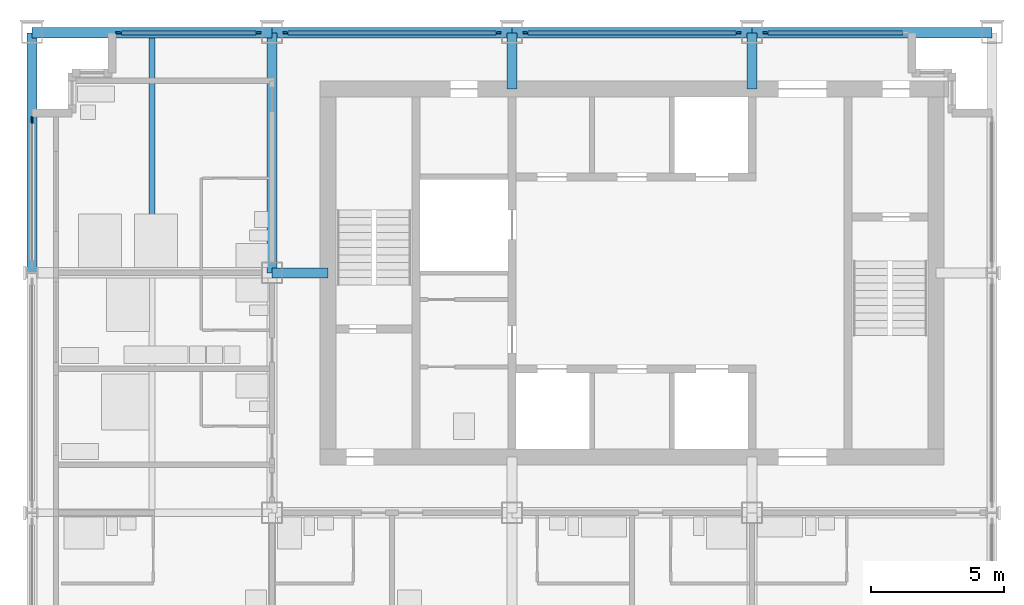
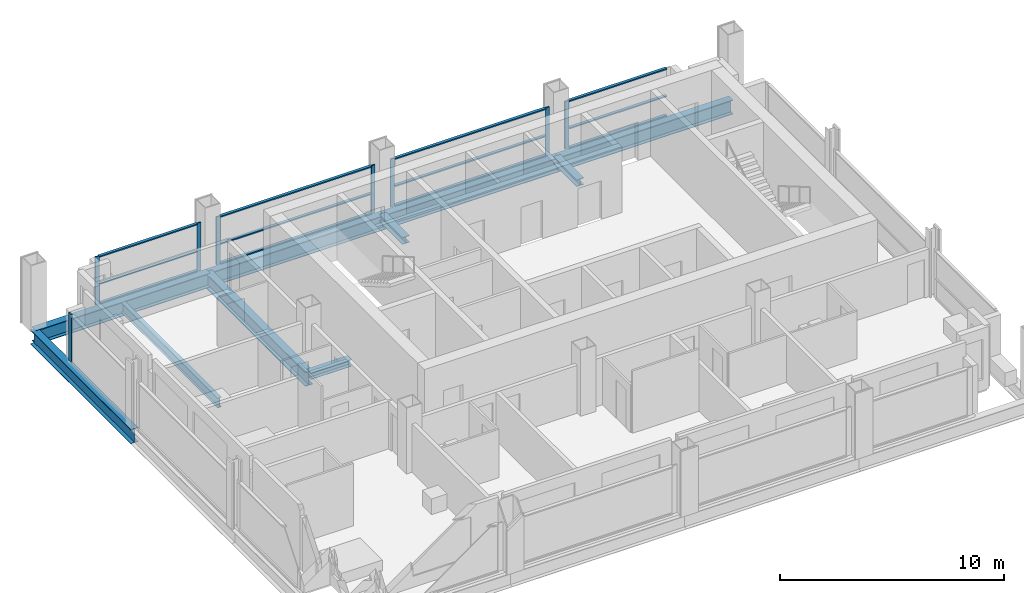
# One storey, part 3 of 12: 23 members, 7 beams, 5 elements without a shape of their own.
"""IFC4 building model written with IfcOpenShell, lengths in metres."""

from ifc_helpers import new_model, si_unit, direction, frame, origin, origin_2d, place, context, subcontext, project, spatial, rectangle, i_section, extrude, material, material_profile, profile_set, type_object, element, aggregate, save


model = new_model("IFC4")

# Units and contexts
model_context = context("Model", 3, precision=1e-05, world=origin(), true_north=direction((0.0, 1.0)))
body_context = subcontext(model_context, "Body", "Model", "MODEL_VIEW")
ifc_project = project(units=[si_unit("LENGTHUNIT", "METRE"), si_unit("AREAUNIT", "SQUARE_METRE"), si_unit("VOLUMEUNIT", "CUBIC_METRE"), si_unit("PLANEANGLEUNIT", "RADIAN"), si_unit("MASSUNIT", "GRAM", prefix="KILO")], contexts=[model_context])

# Site, building, storey
site_placement = place(None, origin())
site = spatial("IfcSite", under=ifc_project, at=site_placement, CompositionType="ELEMENT")
building_placement = place(site_placement, origin())
building = spatial("IfcBuilding", under=site, at=building_placement, Name="Loomwork Tower", CompositionType="ELEMENT")
storey_placement = place(building_placement, frame((0.0, 0.0, 237.39990234375)))
storey = spatial("IfcBuildingStorey", under=building, at=storey_placement, Name="L65", CompositionType="ELEMENT", Elevation=237.39990234375)

# Beam
ifc_material_1 = material(Name="Steel ASTM A992", Category="steel")
ifc_material_profile_1 = material_profile(ifc_material_1, i_section(OverallWidth=0.383544921875, OverallDepth=0.794921875, WebThickness=0.02099609375, FlangeThickness=0.0380859375, at=origin_2d()), Name="W30x235")
ifc_profile_set_1 = profile_set([ifc_material_profile_1], Name="Steel ASTM A992")
beam_type_1 = type_object("IfcBeamType", Name="CORE FLANK GIRDER W30x235", PredefinedType="BEAM", material=ifc_profile_set_1)
beam_1_placement = place(storey_placement, frame((9.0, 18.0, -0.597412109375), z_axis=(0.0, 1.0, 0.0), x_axis=(-1.0, 0.0, 0.0)))
element("IfcBeam", 1, at=beam_1_placement, inside=storey, type_object=beam_type_1, Name="Core Flank Girder F/3-G/3 L65", PredefinedType="BEAM", context=body_context, shape_type="SweptSolid", body=[
    extrude(i_section(OverallWidth=0.383544921875, OverallDepth=0.794921875, WebThickness=0.02099609375, FlangeThickness=0.0380859375, at=origin_2d()), origin(), (0.0, 0.0, 1.0), 9.0),
])

# Members
ifc_material_2 = material(Name="Steel ASTM A992", Category="steel")
ifc_material_profile_2 = material_profile(ifc_material_2, i_section(OverallWidth=0.373291015625, OverallDepth=0.373291015625, WebThickness=0.016357421875, FlangeThickness=0.026123046875, at=origin_2d()), Name="W14x132")
ifc_profile_set_2 = profile_set([ifc_material_profile_2], Name="Steel ASTM A992")
member_type_1 = type_object("IfcMemberType", Name="CORE LINK STRUT W14x132", PredefinedType="STRUT", material=ifc_profile_set_2)
for number, where, z_axis, x_axis, name in (
    (2, (18.0, 27.0, -0.386474609375), (0.0, -1.0, 0.0), (1.0, 0.0, 0.0), "Core link strut G/4-18.000,24.900 L65"),
    (3, (27.0, 27.0, -0.386474609375), (0.0, -1.0, 0.0), (1.0, 0.0, 0.0), "Core link strut G/5-27.000,24.900 L65"),
    (4, (9.0, 18.0, -0.386474609375), (1.0, 0.0, 0.0), (0.0, 1.0, 0.0), "Core link strut F/3-11.100,18.000 L65"),
):
    element("IfcMember", number, at=place(storey_placement, frame(where, z_axis=z_axis, x_axis=x_axis)), inside=storey, type_object=member_type_1, Name=name, PredefinedType="STRUT", context=body_context, shape_type="SweptSolid", body=[
        extrude(i_section(OverallWidth=0.373291015625, OverallDepth=0.373291015625, WebThickness=0.016357421875, FlangeThickness=0.026123046875, at=origin_2d()), origin(), (0.0, 0.0, 1.0), 2.10009765625),
    ])

# Beam
ifc_material_3 = material(Name="Steel ASTM A992", Category="steel")
ifc_material_profile_3 = material_profile(ifc_material_3, i_section(OverallWidth=0.2109375, OverallDepth=0.53857421875, WebThickness=0.011474609375, FlangeThickness=0.018798828125, at=origin_2d()), Name="W21x73")
ifc_profile_set_3 = profile_set([ifc_material_profile_3], Name="Steel ASTM A992")
beam_type_2 = type_object("IfcBeamType", Name="FLOOR JOIST W21x73", PredefinedType="JOIST", material=ifc_profile_set_3)
beam_2_placement = place(storey_placement, frame((4.5, 18.19091796875, -0.46923828125), z_axis=(0.0, 1.0, 0.0), x_axis=(-1.0, 0.0, 0.0)))
element("IfcBeam", 5, at=beam_2_placement, inside=storey, type_object=beam_type_2, Name="Floor Joist 4.500,18.000-4.500,27.000 L65", PredefinedType="JOIST", context=body_context, shape_type="SweptSolid", body=[
    extrude(i_section(OverallWidth=0.2109375, OverallDepth=0.53857421875, WebThickness=0.011474609375, FlangeThickness=0.018798828125, at=origin_2d()), origin(), (0.0, 0.0, 1.0), 8.619140625),
])

# Curtain wall, member
ifc_material_4 = material(Name="Aluminium curtain wall frame", Category="aluminium")
curtain_wall_type_1 = type_object("IfcCurtainWallType", Name="Outer skin glazing suites", PredefinedType="NOTDEFINED", material=ifc_material_4)
curtain_wall_1_placement = place(storey_placement, origin())
curtain_wall_1 = element("IfcCurtainWall", 6, at=curtain_wall_1_placement, inside=storey, type_object=curtain_wall_type_1, Name="Outer skin glazing suites cw/W-18", PredefinedType="NOTDEFINED")
ifc_material_5 = material(Name="Aluminium curtain wall frame", Category="aluminium")
ifc_material_profile_4 = material_profile(ifc_material_5, rectangle(XDim=0.06494140625, YDim=0.25, at=origin_2d()), Name="AL 65x250")
ifc_profile_set_4 = profile_set([ifc_material_profile_4], Name="Aluminium curtain wall frame")
member_type_2 = type_object("IfcMemberType", Name="Outer skin glazing suites mullion", PredefinedType="MULLION", material=ifc_profile_set_4)
member_1_placement = place(storey_placement, frame((0.0, 23.72509765625, 0.0), z_axis=(0.0, 0.0, 1.0), x_axis=(1.0, 0.0, 0.0)))
member_1 = element("IfcMember", 7, at=member_1_placement, type_object=member_type_2, Name="CW2 mullion 1", PredefinedType="MULLION", context=body_context, shape_type="SweptSolid", body=[
    extrude(rectangle(XDim=0.06494140625, YDim=0.25, at=origin_2d()), origin(), (0.0, 0.0, 1.0), 2.620361328125),
])
aggregate(curtain_wall_1, [member_1])

# Beams
ifc_material_6 = material(Name="Steel ASTM A992", Category="steel")
ifc_material_profile_5 = material_profile(ifc_material_6, i_section(OverallWidth=0.381103515625, OverallDepth=0.77978515625, WebThickness=0.01806640625, FlangeThickness=0.0302734375, at=origin_2d()), Name="W30x191")
ifc_profile_set_5 = profile_set([ifc_material_profile_5], Name="Steel ASTM A992")
beam_type_3 = type_object("IfcBeamType", Name="SPANDREL GIRDER W30x191", PredefinedType="SPANDREL", material=ifc_profile_set_5)
for number, where, z_axis, x_axis, name in (
    (8, (0.0, 27.0, -0.58984375), (1.0, 0.0, 0.0), (0.0, 1.0, 0.0), "Spandrel Girder G/2-G/3 L65"),
    (9, (9.0, 27.0, -0.58984375), (1.0, 0.0, 0.0), (0.0, 1.0, 0.0), "Spandrel Girder G/3-G/4 L65"),
    (10, (18.0, 27.0, -0.58984375), (1.0, 0.0, 0.0), (0.0, 1.0, 0.0), "Spandrel Girder G/4-G/5 L65"),
    (11, (27.0, 27.0, -0.58984375), (1.0, 0.0, 0.0), (0.0, 1.0, 0.0), "Spandrel Girder G/5-G/6 L65"),
    (12, (0.0, 18.0, -0.58984375), (0.0, 1.0, 0.0), (-1.0, 0.0, 0.0), "Spandrel Girder F/2-G/2 L65"),
):
    element("IfcBeam", number, at=place(storey_placement, frame(where, z_axis=z_axis, x_axis=x_axis)), inside=storey, type_object=beam_type_3, Name=name, PredefinedType="SPANDREL", context=body_context, shape_type="SweptSolid", body=[
        extrude(i_section(OverallWidth=0.381103515625, OverallDepth=0.77978515625, WebThickness=0.01806640625, FlangeThickness=0.0302734375, at=origin_2d()), origin(), (0.0, 0.0, 1.0), 9.0),
    ])

# Curtain wall, members
ifc_material_7 = material(Name="Aluminium curtain wall frame", Category="aluminium")
curtain_wall_type_2 = type_object("IfcCurtainWallType", Name="Single skin glazing corridor", PredefinedType="NOTDEFINED", material=ifc_material_7)
curtain_wall_2_placement = place(storey_placement, origin())
curtain_wall_2 = element("IfcCurtainWall", 13, at=curtain_wall_2_placement, inside=storey, type_object=curtain_wall_type_2, Name="Single skin glazing corridor cw/N-0", PredefinedType="NOTDEFINED")
ifc_material_8 = material(Name="Aluminium curtain wall frame", Category="aluminium")
ifc_material_profile_6 = material_profile(ifc_material_8, rectangle(XDim=0.06494140625, YDim=0.199951171875, at=origin_2d()), Name="AL 65x200")
ifc_profile_set_6 = profile_set([ifc_material_profile_6], Name="Aluminium curtain wall frame")
member_type_3 = type_object("IfcMemberType", Name="Single skin glazing corridor mullion", PredefinedType="MULLION", material=ifc_profile_set_6)
member_2_placement = place(storey_placement, frame((8.5, 27.0, 0.0), z_axis=(0.0, 0.0, 1.0), x_axis=(0.0, -1.0, 0.0)))
member_2 = element("IfcMember", 14, at=member_2_placement, type_object=member_type_3, Name="CW3 mullion 1", PredefinedType="MULLION", context=body_context, shape_type="SweptSolid", body=[
    extrude(rectangle(XDim=0.06494140625, YDim=0.199951171875, at=origin_2d()), origin(), (0.0, 0.0, 1.0), 2.620361328125),
])
member_3_placement = place(storey_placement, frame((3.25, 27.0, 0.0), z_axis=(0.0, 0.0, 1.0), x_axis=(0.0, -1.0, 0.0)))
member_3 = element("IfcMember", 15, at=member_3_placement, type_object=member_type_3, Name="CW3 mullion 2", PredefinedType="MULLION", context=body_context, shape_type="SweptSolid", body=[
    extrude(rectangle(XDim=0.06494140625, YDim=0.199951171875, at=origin_2d()), origin(), (0.0, 0.0, 1.0), 2.620361328125),
])

curtain_wall_3_placement = place(storey_placement, origin())
curtain_wall_3 = element("IfcCurtainWall", 16, at=curtain_wall_3_placement, inside=storey, type_object=curtain_wall_type_2, Name="Single skin glazing corridor cw/N-9", PredefinedType="NOTDEFINED")
member_4_placement = place(storey_placement, frame((17.5, 27.0, 0.0), z_axis=(0.0, 0.0, 1.0), x_axis=(0.0, -1.0, 0.0)))
member_4 = element("IfcMember", 17, at=member_4_placement, type_object=member_type_3, Name="CW3 mullion 1", PredefinedType="MULLION", context=body_context, shape_type="SweptSolid", body=[
    extrude(rectangle(XDim=0.06494140625, YDim=0.199951171875, at=origin_2d()), origin(), (0.0, 0.0, 1.0), 2.620361328125),
])
member_5_placement = place(storey_placement, frame((9.5, 27.0, 0.0), z_axis=(0.0, 0.0, 1.0), x_axis=(0.0, -1.0, 0.0)))
member_5 = element("IfcMember", 18, at=member_5_placement, type_object=member_type_3, Name="CW3 mullion 2", PredefinedType="MULLION", context=body_context, shape_type="SweptSolid", body=[
    extrude(rectangle(XDim=0.06494140625, YDim=0.199951171875, at=origin_2d()), origin(), (0.0, 0.0, 1.0), 2.620361328125),
])

curtain_wall_4_placement = place(storey_placement, origin())
curtain_wall_4 = element("IfcCurtainWall", 19, at=curtain_wall_4_placement, inside=storey, type_object=curtain_wall_type_2, Name="Single skin glazing corridor cw/N-18", PredefinedType="NOTDEFINED")
member_6_placement = place(storey_placement, frame((26.5, 27.0, 0.0), z_axis=(0.0, 0.0, 1.0), x_axis=(0.0, -1.0, 0.0)))
member_6 = element("IfcMember", 20, at=member_6_placement, type_object=member_type_3, Name="CW3 mullion 1", PredefinedType="MULLION", context=body_context, shape_type="SweptSolid", body=[
    extrude(rectangle(XDim=0.06494140625, YDim=0.199951171875, at=origin_2d()), origin(), (0.0, 0.0, 1.0), 2.620361328125),
])
member_7_placement = place(storey_placement, frame((18.5, 27.0, 0.0), z_axis=(0.0, 0.0, 1.0), x_axis=(0.0, -1.0, 0.0)))
member_7 = element("IfcMember", 21, at=member_7_placement, type_object=member_type_3, Name="CW3 mullion 2", PredefinedType="MULLION", context=body_context, shape_type="SweptSolid", body=[
    extrude(rectangle(XDim=0.06494140625, YDim=0.199951171875, at=origin_2d()), origin(), (0.0, 0.0, 1.0), 2.620361328125),
])

# Curtain wall, member
curtain_wall_5_placement = place(storey_placement, origin())
curtain_wall_5 = element("IfcCurtainWall", 22, at=curtain_wall_5_placement, inside=storey, type_object=curtain_wall_type_2, Name="Single skin glazing corridor cw/N-27", PredefinedType="NOTDEFINED")
member_8_placement = place(storey_placement, frame((27.5, 27.0, 0.0), z_axis=(0.0, 0.0, 1.0), x_axis=(0.0, -1.0, 0.0)))
member_8 = element("IfcMember", 23, at=member_8_placement, type_object=member_type_3, Name="CW3 mullion 2", PredefinedType="MULLION", context=body_context, shape_type="SweptSolid", body=[
    extrude(rectangle(XDim=0.06494140625, YDim=0.199951171875, at=origin_2d()), origin(), (0.0, 0.0, 1.0), 2.620361328125),
])

# Member
ifc_material_9 = material(Name="Aluminium curtain wall frame", Category="aluminium")
ifc_material_profile_7 = material_profile(ifc_material_9, rectangle(XDim=0.14990234375, YDim=0.06494140625, at=origin_2d()), Name="AL 65x150")
ifc_profile_set_7 = profile_set([ifc_material_profile_7], Name="Aluminium curtain wall frame")
member_type_4 = type_object("IfcMemberType", Name="Single skin glazing corridor transom", PredefinedType="USERDEFINED", material=ifc_profile_set_7)
member_9_placement = place(storey_placement, frame((8.39990234375, 27.0, 0.03271484375), z_axis=(-1.0, 0.0, 0.0), x_axis=(0.0, -1.0, 0.0)))
member_9 = element("IfcMember", 24, at=member_9_placement, type_object=member_type_4, Name="CW3 transom 1.1", ObjectType="TRANSOM", PredefinedType="USERDEFINED", context=body_context, shape_type="SweptSolid", body=[
    extrude(rectangle(XDim=0.14990234375, YDim=0.06494140625, at=origin_2d()), origin(), (0.0, 0.0, 1.0), 5.0498046875),
])

member_10_placement = place(storey_placement, frame((8.39990234375, 27.0, 1.10009765625), z_axis=(-1.0, 0.0, 0.0), x_axis=(0.0, -1.0, 0.0)))
member_10 = element("IfcMember", 25, at=member_10_placement, type_object=member_type_4, Name="CW3 transom 1.2", ObjectType="TRANSOM", PredefinedType="USERDEFINED", context=body_context, shape_type="SweptSolid", body=[
    extrude(rectangle(XDim=0.14990234375, YDim=0.06494140625, at=origin_2d()), origin(), (0.0, 0.0, 1.0), 5.0498046875),
])

member_11_placement = place(storey_placement, frame((8.39990234375, 27.0, 2.587890625), z_axis=(-1.0, 0.0, 0.0), x_axis=(0.0, -1.0, 0.0)))
member_11 = element("IfcMember", 26, at=member_11_placement, type_object=member_type_4, Name="CW3 transom 1.3", ObjectType="TRANSOM", PredefinedType="USERDEFINED", context=body_context, shape_type="SweptSolid", body=[
    extrude(rectangle(XDim=0.14990234375, YDim=0.06494140625, at=origin_2d()), origin(), (0.0, 0.0, 1.0), 5.0498046875),
])

aggregate(curtain_wall_2, [member_2, member_3, member_9, member_10, member_11])

member_12_placement = place(storey_placement, frame((17.39990234375, 27.0, 0.03271484375), z_axis=(-1.0, 0.0, 0.0), x_axis=(0.0, -1.0, 0.0)))
member_12 = element("IfcMember", 27, at=member_12_placement, type_object=member_type_4, Name="CW3 transom 1.1", ObjectType="TRANSOM", PredefinedType="USERDEFINED", context=body_context, shape_type="SweptSolid", body=[
    extrude(rectangle(XDim=0.14990234375, YDim=0.06494140625, at=origin_2d()), origin(), (0.0, 0.0, 1.0), 7.7998046875),
])

member_13_placement = place(storey_placement, frame((17.39990234375, 27.0, 1.10009765625), z_axis=(-1.0, 0.0, 0.0), x_axis=(0.0, -1.0, 0.0)))
member_13 = element("IfcMember", 28, at=member_13_placement, type_object=member_type_4, Name="CW3 transom 1.2", ObjectType="TRANSOM", PredefinedType="USERDEFINED", context=body_context, shape_type="SweptSolid", body=[
    extrude(rectangle(XDim=0.14990234375, YDim=0.06494140625, at=origin_2d()), origin(), (0.0, 0.0, 1.0), 7.7998046875),
])

member_14_placement = place(storey_placement, frame((17.39990234375, 27.0, 2.587890625), z_axis=(-1.0, 0.0, 0.0), x_axis=(0.0, -1.0, 0.0)))
member_14 = element("IfcMember", 29, at=member_14_placement, type_object=member_type_4, Name="CW3 transom 1.3", ObjectType="TRANSOM", PredefinedType="USERDEFINED", context=body_context, shape_type="SweptSolid", body=[
    extrude(rectangle(XDim=0.14990234375, YDim=0.06494140625, at=origin_2d()), origin(), (0.0, 0.0, 1.0), 7.7998046875),
])

aggregate(curtain_wall_3, [member_4, member_5, member_12, member_13, member_14])

member_15_placement = place(storey_placement, frame((26.39990234375, 27.0, 0.03271484375), z_axis=(-1.0, 0.0, 0.0), x_axis=(0.0, -1.0, 0.0)))
member_15 = element("IfcMember", 30, at=member_15_placement, type_object=member_type_4, Name="CW3 transom 1.1", ObjectType="TRANSOM", PredefinedType="USERDEFINED", context=body_context, shape_type="SweptSolid", body=[
    extrude(rectangle(XDim=0.14990234375, YDim=0.06494140625, at=origin_2d()), origin(), (0.0, 0.0, 1.0), 7.7998046875),
])

member_16_placement = place(storey_placement, frame((26.39990234375, 27.0, 1.10009765625), z_axis=(-1.0, 0.0, 0.0), x_axis=(0.0, -1.0, 0.0)))
member_16 = element("IfcMember", 31, at=member_16_placement, type_object=member_type_4, Name="CW3 transom 1.2", ObjectType="TRANSOM", PredefinedType="USERDEFINED", context=body_context, shape_type="SweptSolid", body=[
    extrude(rectangle(XDim=0.14990234375, YDim=0.06494140625, at=origin_2d()), origin(), (0.0, 0.0, 1.0), 7.7998046875),
])

member_17_placement = place(storey_placement, frame((26.39990234375, 27.0, 2.587890625), z_axis=(-1.0, 0.0, 0.0), x_axis=(0.0, -1.0, 0.0)))
member_17 = element("IfcMember", 32, at=member_17_placement, type_object=member_type_4, Name="CW3 transom 1.3", ObjectType="TRANSOM", PredefinedType="USERDEFINED", context=body_context, shape_type="SweptSolid", body=[
    extrude(rectangle(XDim=0.14990234375, YDim=0.06494140625, at=origin_2d()), origin(), (0.0, 0.0, 1.0), 7.7998046875),
])

aggregate(curtain_wall_4, [member_6, member_7, member_15, member_16, member_17])

member_18_placement = place(storey_placement, frame((32.64990234375, 27.0, 0.03271484375), z_axis=(-1.0, 0.0, 0.0), x_axis=(0.0, -1.0, 0.0)))
member_18 = element("IfcMember", 33, at=member_18_placement, type_object=member_type_4, Name="CW3 transom 1.1", ObjectType="TRANSOM", PredefinedType="USERDEFINED", context=body_context, shape_type="SweptSolid", body=[
    extrude(rectangle(XDim=0.14990234375, YDim=0.06494140625, at=origin_2d()), origin(), (0.0, 0.0, 1.0), 5.0498046875),
])

member_19_placement = place(storey_placement, frame((32.64990234375, 27.0, 1.10009765625), z_axis=(-1.0, 0.0, 0.0), x_axis=(0.0, -1.0, 0.0)))
member_19 = element("IfcMember", 34, at=member_19_placement, type_object=member_type_4, Name="CW3 transom 1.2", ObjectType="TRANSOM", PredefinedType="USERDEFINED", context=body_context, shape_type="SweptSolid", body=[
    extrude(rectangle(XDim=0.14990234375, YDim=0.06494140625, at=origin_2d()), origin(), (0.0, 0.0, 1.0), 5.0498046875),
])

member_20_placement = place(storey_placement, frame((32.64990234375, 27.0, 2.587890625), z_axis=(-1.0, 0.0, 0.0), x_axis=(0.0, -1.0, 0.0)))
member_20 = element("IfcMember", 35, at=member_20_placement, type_object=member_type_4, Name="CW3 transom 1.3", ObjectType="TRANSOM", PredefinedType="USERDEFINED", context=body_context, shape_type="SweptSolid", body=[
    extrude(rectangle(XDim=0.14990234375, YDim=0.06494140625, at=origin_2d()), origin(), (0.0, 0.0, 1.0), 5.0498046875),
])

aggregate(curtain_wall_5, [member_8, member_18, member_19, member_20])

save(model, "model.ifc")
